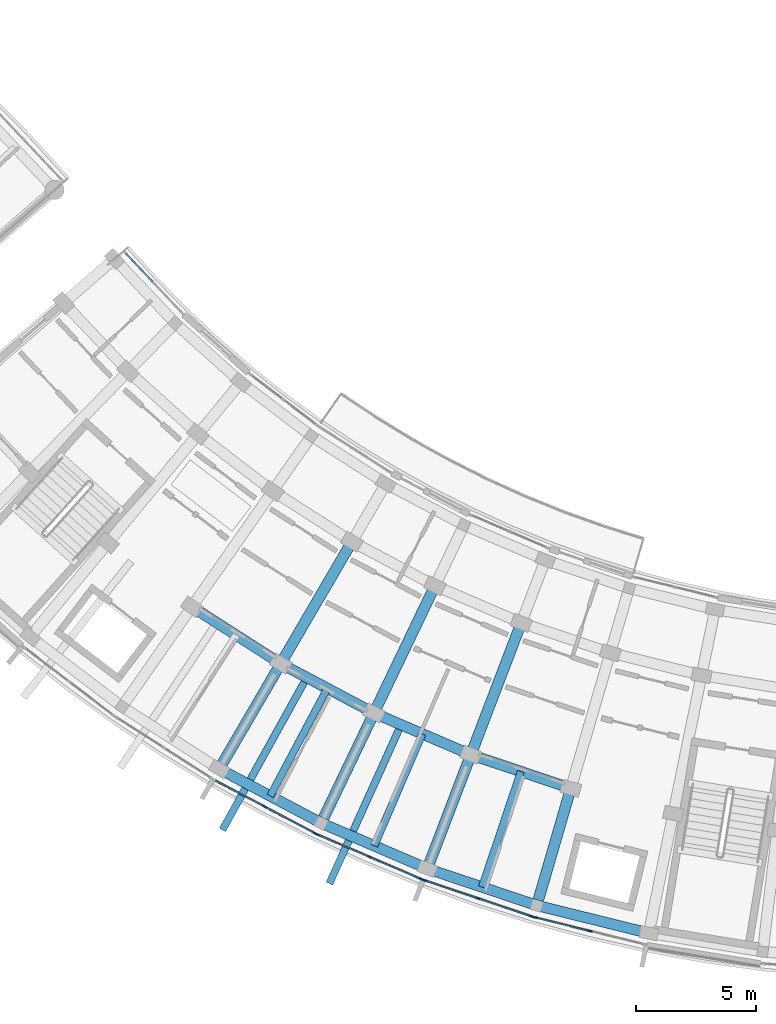
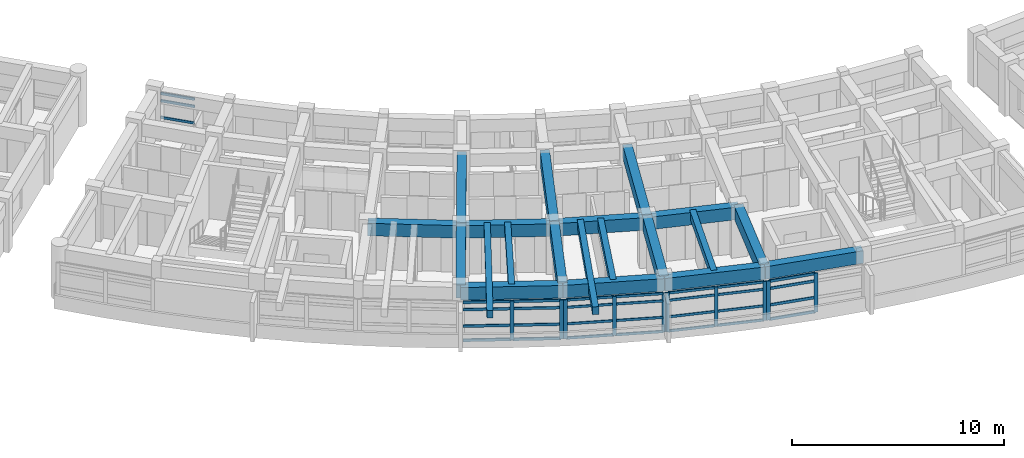
# One storey, part 11 of 56: 41 members, 20 beams, 5 elements without a shape of their own.
"""IFC4 building model written with IfcOpenShell, lengths in metres."""

from ifc_helpers import new_model, si_unit, direction, frame, origin, origin_2d, place, context, subcontext, project, spatial, rectangle, extrude, material, material_profile, profile_set, type_object, element, aggregate, save


model = new_model("IFC4")

# Units and contexts
model_context = context("Model", 3, precision=1e-05, world=origin(), true_north=direction((0.0, 1.0)))
body_context = subcontext(model_context, "Body", "Model", "MODEL_VIEW")
ifc_project = project(units=[si_unit("LENGTHUNIT", "METRE"), si_unit("AREAUNIT", "SQUARE_METRE"), si_unit("VOLUMEUNIT", "CUBIC_METRE"), si_unit("PLANEANGLEUNIT", "RADIAN"), si_unit("MASSUNIT", "GRAM", prefix="KILO")], contexts=[model_context])

# Site, building, storey
site_placement = place(None, origin())
site = spatial("IfcSite", under=ifc_project, at=site_placement, CompositionType="ELEMENT")
building_placement = place(site_placement, origin())
building = spatial("IfcBuilding", under=site, at=building_placement, Name="Zimvara Arc Housing Community", CompositionType="ELEMENT")
storey_placement = place(building_placement, frame((0.0, 0.0, 11.199951171875)))
storey = spatial("IfcBuildingStorey", under=building, at=storey_placement, Name="L03", CompositionType="ELEMENT", Elevation=11.199951171875)

# Beams
ifc_material_1 = material(Name="Concrete C40/50", Category="concrete")
ifc_material_profile_1 = material_profile(ifc_material_1, rectangle(XDim=0.300048828125, YDim=0.449951171875, at=origin_2d()), Name="RC 300x450")
ifc_profile_set_1 = profile_set([ifc_material_profile_1], Name="Concrete C40/50")
beam_type_1 = type_object("IfcBeamType", Name="BM-RC-300x450", PredefinedType="JOIST", material=ifc_profile_set_1)
for number, where, z_axis, x_axis, name in (
    (1, (100.793212890625, 62.37060546875, 2.635009765625), (-0.46853732736, -0.883443701019, 0.0), (0.883443701019, -0.46853732736, 0.0), "bm:blkC:L03:joist:b4"),
    (2, (104.751953125, 60.473876953125, 2.635009765625), (-0.394946561353, -0.918704094731, 0.0), (0.918704094731, -0.394946561353, 0.0), "bm:blkC:L03:joist:b5"),
    (3, (108.85205078125, 58.906494140625, 2.635009765625), (-0.318622196545, -0.947881794249, 0.0), (0.947881794249, -0.318622196545, 0.0), "bm:blkC:L03:joist:b6"),
):
    element("IfcBeam", number, at=place(storey_placement, frame(where, z_axis=z_axis, x_axis=x_axis)), inside=storey, type_object=beam_type_1, Name=name, PredefinedType="JOIST", context=body_context, shape_type="SweptSolid", body=[
        extrude(rectangle(XDim=0.300048828125, YDim=0.449951171875, at=origin_2d()), origin(), (0.0, 0.0, 1.0), 5.07568359375),
    ])
for number, where, z_axis, x_axis, name in (
    (4, (99.922119140625, 62.791748046875, 2.6650390625), (-0.4843274379, -0.874886811477, 0.0), (0.874886811477, -0.4843274379, 0.0), "bm:blkC:L03:cant_out:b4"),
    (5, (103.849365234375, 60.822509765625, 2.6650390625), (-0.411355676266, -0.91147490783, 0.0), (0.91147490783, -0.411355676266, 0.0), "bm:blkC:L03:cant_out:b5"),
):
    element("IfcBeam", number, at=place(storey_placement, frame(where, z_axis=z_axis, x_axis=x_axis)), inside=storey, type_object=beam_type_1, Name=name, PredefinedType="JOIST", context=body_context, shape_type="SweptSolid", body=[
        extrude(rectangle(XDim=0.300048828125, YDim=0.449951171875, at=origin_2d()), origin(), (0.0, 0.0, 1.0), 7.219970703125),
    ])
ifc_material_2 = material(Name="Concrete C40/50", Category="concrete")
ifc_material_profile_2 = material_profile(ifc_material_2, rectangle(XDim=0.43994140625, YDim=0.719970703125, at=origin_2d()), Name="RC 440x720")
ifc_profile_set_2 = profile_set([ifc_material_profile_2], Name="Concrete C40/50")
beam_type_2 = type_object("IfcBeamType", Name="BM-RC-440x720", PredefinedType="BEAM", material=ifc_profile_set_2)
beam_1_placement = place(storey_placement, frame((95.15234375, 65.76806640625, 2.5), z_axis=(0.842267363538, -0.539060004376, 0.0), x_axis=(0.539060004376, 0.842267363538, 0.0)))
element("IfcBeam", 6, at=beam_1_placement, inside=storey, type_object=beam_type_2, Name="bm:blkC:L03:chord:r2:b3", PredefinedType="BEAM", context=body_context, shape_type="SweptSolid", body=[
    extrude(rectangle(XDim=0.43994140625, YDim=0.719970703125, at=origin_2d()), origin(), (0.0, 0.0, 1.0), 4.39306640625),
])
beam_2_placement = place(storey_placement, frame((98.8525390625, 63.39990234375, 2.5), z_axis=(0.883433524437, -0.468556515162, 0.0), x_axis=(0.468556515162, 0.883433524437, 0.0)))
element("IfcBeam", 7, at=beam_2_placement, inside=storey, type_object=beam_type_2, Name="bm:blkC:L03:chord:r2:b4", PredefinedType="BEAM", context=body_context, shape_type="SweptSolid", body=[
    extrude(rectangle(XDim=0.43994140625, YDim=0.719970703125, at=origin_2d()), origin(), (0.0, 0.0, 1.0), 4.3935546875),
])
for number, where, z_axis, x_axis, name in (
    (8, (102.73388671875, 61.34130859375, 2.5), (0.918724840088, -0.394898301093, 0.0), (0.394898301093, 0.918724840088, 0.0), "bm:blkC:L03:chord:r2:b5"),
    (9, (106.77001953125, 59.6064453125, 2.5), (0.947891222174, -0.318594147665, 0.0), (0.318594147665, 0.947891222174, 0.0), "bm:blkC:L03:chord:r2:b6"),
):
    element("IfcBeam", number, at=place(storey_placement, frame(where, z_axis=z_axis, x_axis=x_axis)), inside=storey, type_object=beam_type_2, Name=name, PredefinedType="BEAM", context=body_context, shape_type="SweptSolid", body=[
        extrude(rectangle(XDim=0.43994140625, YDim=0.719970703125, at=origin_2d()), origin(), (0.0, 0.0, 1.0), 4.393310546875),
    ])
for number, where, z_axis, x_axis, name in (
    (10, (96.291259765625, 59.012939453125, 2.5), (0.883424523434, -0.468573485587, 0.0), (0.468573485587, 0.883424523434, 0.0), "bm:blkC:L03:chord:r3:b4"),
    (11, (100.538818359375, 56.760009765625, 2.5), (0.918724276228, -0.394899612901, 0.0), (0.394899612901, 0.918724276228, 0.0), "bm:blkC:L03:chord:r3:b5"),
):
    element("IfcBeam", number, at=place(storey_placement, frame(where, z_axis=z_axis, x_axis=x_axis)), inside=storey, type_object=beam_type_2, Name=name, PredefinedType="BEAM", context=body_context, shape_type="SweptSolid", body=[
        extrude(rectangle(XDim=0.43994140625, YDim=0.719970703125, at=origin_2d()), origin(), (0.0, 0.0, 1.0), 4.80810546875),
    ])
beam_3_placement = place(storey_placement, frame((104.9560546875, 54.861328125, 2.5), z_axis=(0.947877948153, -0.31863363822, 0.0), x_axis=(0.31863363822, 0.947877948153, 0.0)))
element("IfcBeam", 12, at=beam_3_placement, inside=storey, type_object=beam_type_2, Name="bm:blkC:L03:chord:r3:b6", PredefinedType="BEAM", context=body_context, shape_type="SweptSolid", body=[
    extrude(rectangle(XDim=0.43994140625, YDim=0.719970703125, at=origin_2d()), origin(), (0.0, 0.0, 1.0), 4.807861328125),
])
beam_4_placement = place(storey_placement, frame((109.513427734375, 53.329345703125, 2.5), z_axis=(0.970719165502, -0.240217196986, 0.0), x_axis=(0.240217196986, 0.970719165502, 0.0)))
element("IfcBeam", 13, at=beam_4_placement, inside=storey, type_object=beam_type_2, Name="bm:blkC:L03:chord:r3:b7", PredefinedType="BEAM", context=body_context, shape_type="SweptSolid", body=[
    extrude(rectangle(XDim=0.43994140625, YDim=0.719970703125, at=origin_2d()), origin(), (0.0, 0.0, 1.0), 4.808349609375),
])
ifc_material_3 = material(Name="Concrete C40/50", Category="concrete")
ifc_material_profile_3 = material_profile(ifc_material_3, rectangle(XDim=0.449951171875, YDim=0.75, at=origin_2d()), Name="RC 450x750")
ifc_profile_set_3 = profile_set([ifc_material_profile_3], Name="Concrete C40/50")
beam_type_3 = type_object("IfcBeamType", Name="BM-RC-450x750", PredefinedType="BEAM", material=ifc_profile_set_3)
beam_5_placement = place(storey_placement, frame((101.8173828125, 68.4775390625, 2.485107421875), z_axis=(-0.504237574462, -0.863564976421, 0.0), x_axis=(0.863564976421, -0.504237574462, 0.0)))
element("IfcBeam", 14, at=beam_5_placement, inside=storey, type_object=beam_type_3, Name="bm:blkC:L03:rad:b4:r12", PredefinedType="BEAM", context=body_context, shape_type="SweptSolid", body=[
    extrude(rectangle(XDim=0.449951171875, YDim=0.75, at=origin_2d()), origin(), (0.0, 0.0, 1.0), 5.8798828125),
])
beam_6_placement = place(storey_placement, frame((98.8525390625, 63.39990234375, 2.485107421875), z_axis=(-0.504196701544, -0.863588840915, 0.0), x_axis=(0.863588840915, -0.504196701544, 0.0)))
element("IfcBeam", 15, at=beam_6_placement, inside=storey, type_object=beam_type_3, Name="bm:blkC:L03:rad:b4:r23", PredefinedType="BEAM", context=body_context, shape_type="SweptSolid", body=[
    extrude(rectangle(XDim=0.449951171875, YDim=0.75, at=origin_2d()), origin(), (0.0, 0.0, 1.0), 5.079833984375),
])
beam_7_placement = place(storey_placement, frame((105.2744140625, 66.644287109375, 2.485107421875), z_axis=(-0.432053349188, -0.901848048983, 0.0), x_axis=(0.901848048983, -0.432053349188, 0.0)))
element("IfcBeam", 16, at=beam_7_placement, inside=storey, type_object=beam_type_3, Name="bm:blkC:L03:rad:b5:r12", PredefinedType="BEAM", context=body_context, shape_type="SweptSolid", body=[
    extrude(rectangle(XDim=0.449951171875, YDim=0.75, at=origin_2d()), origin(), (0.0, 0.0, 1.0), 5.880126953125),
])
beam_8_placement = place(storey_placement, frame((102.73388671875, 61.34130859375, 2.485107421875), z_axis=(-0.432098194978, -0.901826563091, 0.0), x_axis=(0.901826563091, -0.432098194978, 0.0)))
element("IfcBeam", 17, at=beam_8_placement, inside=storey, type_object=beam_type_3, Name="bm:blkC:L03:rad:b5:r23", PredefinedType="BEAM", context=body_context, shape_type="SweptSolid", body=[
    extrude(rectangle(XDim=0.449951171875, YDim=0.75, at=origin_2d()), origin(), (0.0, 0.0, 1.0), 5.080078125),
])
beam_9_placement = place(storey_placement, frame((108.869384765625, 65.098876953125, 2.485107421875), z_axis=(-0.357036247742, -0.934090529766, 0.0), x_axis=(0.934090529766, -0.357036247742, 0.0)))
element("IfcBeam", 18, at=beam_9_placement, inside=storey, type_object=beam_type_3, Name="bm:blkC:L03:rad:b6:r12", PredefinedType="BEAM", context=body_context, shape_type="SweptSolid", body=[
    extrude(rectangle(XDim=0.449951171875, YDim=0.75, at=origin_2d()), origin(), (0.0, 0.0, 1.0), 5.8798828125),
])
for number, where, z_axis, x_axis, name in (
    (19, (106.77001953125, 59.6064453125, 2.485107421875), (-0.357078271386, -0.934074466038, 0.0), (0.934074466038, -0.357078271386, 0.0), "bm:blkC:L03:rad:b6:r23"),
    (20, (110.934326171875, 58.206787109375, 2.485107421875), (-0.279693649113, -0.960089299308, 0.0), (0.960089299308, -0.279693649113, 0.0), "bm:blkC:L03:rad:b7:r23"),
):
    element("IfcBeam", number, at=place(storey_placement, frame(where, z_axis=z_axis, x_axis=x_axis)), inside=storey, type_object=beam_type_3, Name=name, PredefinedType="BEAM", context=body_context, shape_type="SweptSolid", body=[
        extrude(rectangle(XDim=0.449951171875, YDim=0.75, at=origin_2d()), origin(), (0.0, 0.0, 1.0), 5.080078125),
    ])

# Curtain wall, members
ifc_material_4 = material(Name="Anodised Aluminium AW-6063", Category="aluminium")
curtain_wall_type_1 = type_object("IfcCurtainWallType", Name="CW-SYS-02", PredefinedType="USERDEFINED", material=ifc_material_4)
curtain_wall_1_placement = place(storey_placement, origin())
curtain_wall_1 = element("IfcCurtainWall", 21, at=curtain_wall_1_placement, inside=storey, type_object=curtain_wall_type_1, Name="cw:blkC:L03:out:b5", ObjectType="CURTAIN WALL", PredefinedType="USERDEFINED")
ifc_material_5 = material(Name="Anodised Aluminium AW-6063", Category="aluminium")
ifc_material_profile_4 = material_profile(ifc_material_5, rectangle(XDim=0.06494140625, YDim=0.179931640625, at=origin_2d()), Name="ALU 65x180")
ifc_profile_set_4 = profile_set([ifc_material_profile_4], Name="Anodised Aluminium AW-6063")
member_type_1 = type_object("IfcMemberType", Name="CWM-65x150", PredefinedType="MULLION", material=ifc_profile_set_4)
member_1_placement = place(storey_placement, frame((100.40771484375, 56.272705078125, 0.0), z_axis=(0.0, 0.0, 1.0), x_axis=(0.394904211998, 0.918722299363, 0.0)))
member_1 = element("IfcMember", 22, at=member_1_placement, type_object=member_type_1, Name="CW02 mullion 1", PredefinedType="MULLION", context=body_context, shape_type="SweptSolid", body=[
    extrude(rectangle(XDim=0.06494140625, YDim=0.179931640625, at=origin_2d()), origin(), (0.0, 0.0, 1.0), 2.25),
])
member_2_placement = place(storey_placement, frame((102.550048828125, 55.351806640625, 0.0), z_axis=(0.0, 0.0, 1.0), x_axis=(0.394904211998, 0.918722299363, 0.0)))
member_2 = element("IfcMember", 23, at=member_2_placement, type_object=member_type_1, Name="CW02 mullion 2", PredefinedType="MULLION", context=body_context, shape_type="SweptSolid", body=[
    extrude(rectangle(XDim=0.06494140625, YDim=0.179931640625, at=origin_2d()), origin(), (0.0, 0.0, 1.0), 2.25),
])
member_3_placement = place(storey_placement, frame((104.692626953125, 54.430908203125, 0.0), z_axis=(0.0, 0.0, 1.0), x_axis=(0.394904211998, 0.918722299363, 0.0)))
member_3 = element("IfcMember", 24, at=member_3_placement, type_object=member_type_1, Name="CW02 mullion 3", PredefinedType="MULLION", context=body_context, shape_type="SweptSolid", body=[
    extrude(rectangle(XDim=0.06494140625, YDim=0.179931640625, at=origin_2d()), origin(), (0.0, 0.0, 1.0), 2.25),
])

ifc_material_6 = material(Name="Anodised Aluminium AW-6063", Category="aluminium")
curtain_wall_type_2 = type_object("IfcCurtainWallType", Name="CW-SYS-04", PredefinedType="USERDEFINED", material=ifc_material_6)
curtain_wall_2_placement = place(storey_placement, origin())
curtain_wall_2 = element("IfcCurtainWall", 25, at=curtain_wall_2_placement, inside=storey, type_object=curtain_wall_type_2, Name="cw:blkC:L03:out:b6", ObjectType="CURTAIN WALL", PredefinedType="USERDEFINED")
member_4_placement = place(storey_placement, frame((104.865234375, 54.36474609375, 0.0), z_axis=(0.0, 0.0, 1.0), x_axis=(0.318628583921, 0.947879647164, 0.0)))
member_4 = element("IfcMember", 26, at=member_4_placement, type_object=member_type_1, Name="CW04 mullion 1", PredefinedType="MULLION", context=body_context, shape_type="SweptSolid", body=[
    extrude(rectangle(XDim=0.06494140625, YDim=0.179931640625, at=origin_2d()), origin(), (0.0, 0.0, 1.0), 2.25),
])
member_5_placement = place(storey_placement, frame((107.07568359375, 53.621826171875, 0.0), z_axis=(0.0, 0.0, 1.0), x_axis=(0.318628583921, 0.947879647164, 0.0)))
member_5 = element("IfcMember", 27, at=member_5_placement, type_object=member_type_1, Name="CW04 mullion 2", PredefinedType="MULLION", context=body_context, shape_type="SweptSolid", body=[
    extrude(rectangle(XDim=0.06494140625, YDim=0.179931640625, at=origin_2d()), origin(), (0.0, 0.0, 1.0), 2.25),
])
member_6_placement = place(storey_placement, frame((109.2861328125, 52.87890625, 0.0), z_axis=(0.0, 0.0, 1.0), x_axis=(0.318628583921, 0.947879647164, 0.0)))
member_6 = element("IfcMember", 28, at=member_6_placement, type_object=member_type_1, Name="CW04 mullion 3", PredefinedType="MULLION", context=body_context, shape_type="SweptSolid", body=[
    extrude(rectangle(XDim=0.06494140625, YDim=0.179931640625, at=origin_2d()), origin(), (0.0, 0.0, 1.0), 2.25),
])

ifc_material_7 = material(Name="Anodised Aluminium AW-6063", Category="aluminium")
curtain_wall_type_3 = type_object("IfcCurtainWallType", Name="CW-SYS-01", PredefinedType="USERDEFINED", material=ifc_material_7)
curtain_wall_3_placement = place(storey_placement, origin())
curtain_wall_3 = element("IfcCurtainWall", 29, at=curtain_wall_3_placement, inside=storey, type_object=curtain_wall_type_3, Name="cw:blkC:L03:out:b4", ObjectType="CURTAIN WALL", PredefinedType="USERDEFINED")
ifc_material_8 = material(Name="Anodised Aluminium AW-6063", Category="aluminium")
ifc_material_profile_5 = material_profile(ifc_material_8, rectangle(XDim=0.06494140625, YDim=0.195068359375, at=origin_2d()), Name="ALU 65x195")
ifc_profile_set_5 = profile_set([ifc_material_profile_5], Name="Anodised Aluminium AW-6063")
member_type_2 = type_object("IfcMemberType", Name="CWM-65x180", PredefinedType="MULLION", material=ifc_profile_set_5)
member_7_placement = place(storey_placement, frame((98.180908203125, 57.445068359375, 0.0), z_axis=(0.0, 0.0, 1.0), x_axis=(0.468546917761, 0.883438614651, 0.0)))
member_7 = element("IfcMember", 30, at=member_7_placement, type_object=member_type_2, Name="CW01 mullion 2", PredefinedType="MULLION", context=body_context, shape_type="SweptSolid", body=[
    extrude(rectangle(XDim=0.06494140625, YDim=0.195068359375, at=origin_2d()), origin(), (0.0, 0.0, 1.0), 2.25),
])
member_8_placement = place(storey_placement, frame((100.240966796875, 56.3525390625, 0.0), z_axis=(0.0, 0.0, 1.0), x_axis=(0.468546917761, 0.883438614651, 0.0)))
member_8 = element("IfcMember", 31, at=member_8_placement, type_object=member_type_2, Name="CW01 mullion 3", PredefinedType="MULLION", context=body_context, shape_type="SweptSolid", body=[
    extrude(rectangle(XDim=0.06494140625, YDim=0.195068359375, at=origin_2d()), origin(), (0.0, 0.0, 1.0), 2.25),
])

ifc_material_9 = material(Name="Anodised Aluminium AW-6063", Category="aluminium")
curtain_wall_type_4 = type_object("IfcCurtainWallType", Name="CW-SYS-05", PredefinedType="USERDEFINED", material=ifc_material_9)
curtain_wall_4_placement = place(storey_placement, origin())
curtain_wall_4 = element("IfcCurtainWall", 32, at=curtain_wall_4_placement, inside=storey, type_object=curtain_wall_type_4, Name="cw:blkC:L03:out:b7", ObjectType="CURTAIN WALL", PredefinedType="USERDEFINED")
member_9_placement = place(storey_placement, frame((109.46337890625, 52.8271484375, 0.0), z_axis=(0.0, 0.0, 1.0), x_axis=(0.240229711131, 0.970716068627, 0.0)))
member_9 = element("IfcMember", 33, at=member_9_placement, type_object=member_type_2, Name="CW05 mullion 1", PredefinedType="MULLION", context=body_context, shape_type="SweptSolid", body=[
    extrude(rectangle(XDim=0.06494140625, YDim=0.195068359375, at=origin_2d()), origin(), (0.0, 0.0, 1.0), 2.25),
])
member_10_placement = place(storey_placement, frame((111.72705078125, 52.266845703125, 0.0), z_axis=(0.0, 0.0, 1.0), x_axis=(0.240229711131, 0.970716068627, 0.0)))
member_10 = element("IfcMember", 34, at=member_10_placement, type_object=member_type_2, Name="CW05 mullion 2", PredefinedType="MULLION", context=body_context, shape_type="SweptSolid", body=[
    extrude(rectangle(XDim=0.06494140625, YDim=0.195068359375, at=origin_2d()), origin(), (0.0, 0.0, 1.0), 2.25),
])

curtain_wall_5_placement = place(storey_placement, origin())
curtain_wall_5 = element("IfcCurtainWall", 35, at=curtain_wall_5_placement, inside=storey, type_object=curtain_wall_type_2, Name="cw:blkC:L03:in:b0", ObjectType="CURTAIN WALL", PredefinedType="USERDEFINED")
ifc_material_10 = material(Name="Anodised Aluminium AW-6063", Category="aluminium")
ifc_material_profile_6 = material_profile(ifc_material_10, rectangle(XDim=0.06494140625, YDim=0.139892578125, at=origin_2d()), Name="ALU 65x140")
ifc_profile_set_6 = profile_set([ifc_material_profile_6], Name="Anodised Aluminium AW-6063")
member_type_3 = type_object("IfcMemberType", Name="CWT-65x120", PredefinedType="USERDEFINED", material=ifc_profile_set_6)
member_11_placement = place(storey_placement, frame((92.390625, 80.495849609375, 0.85009765625), z_axis=(0.686347817597, -0.727273451516, 0.0), x_axis=(0.727273451516, 0.686347817597, 0.0)))
member_11 = element("IfcMember", 36, at=member_11_placement, type_object=member_type_3, Name="CW04 transom 1.2", ObjectType="TRANSOM", PredefinedType="USERDEFINED", context=body_context, shape_type="SweptSolid", body=[
    extrude(rectangle(XDim=0.06494140625, YDim=0.139892578125, at=origin_2d()), origin(), (0.0, 0.0, 1.0), 1.664306640625),
])
member_12_placement = place(storey_placement, frame((92.390625, 80.495849609375, 1.800048828125), z_axis=(0.686347817597, -0.727273451516, 0.0), x_axis=(0.727273451516, 0.686347817597, 0.0)))
member_12 = element("IfcMember", 37, at=member_12_placement, type_object=member_type_3, Name="CW04 transom 1.3", ObjectType="TRANSOM", PredefinedType="USERDEFINED", context=body_context, shape_type="SweptSolid", body=[
    extrude(rectangle(XDim=0.06494140625, YDim=0.139892578125, at=origin_2d()), origin(), (0.0, 0.0, 1.0), 1.664306640625),
])
member_13_placement = place(storey_placement, frame((92.390625, 80.495849609375, 2.217529296875), z_axis=(0.686347817597, -0.727273451516, 0.0), x_axis=(0.727273451516, 0.686347817597, 0.0)))
member_13 = element("IfcMember", 38, at=member_13_placement, type_object=member_type_3, Name="CW04 transom 1.4", ObjectType="TRANSOM", PredefinedType="USERDEFINED", context=body_context, shape_type="SweptSolid", body=[
    extrude(rectangle(XDim=0.06494140625, YDim=0.139892578125, at=origin_2d()), origin(), (0.0, 0.0, 1.0), 1.664306640625),
])
aggregate(curtain_wall_5, [member_11, member_12, member_13])

# Member
member_14_placement = place(storey_placement, frame((100.4375, 56.259765625, 0.032470703125), z_axis=(0.918721157939, -0.394906867444, 0.0), x_axis=(0.394906867444, 0.918721157939, 0.0)))
member_14 = element("IfcMember", 39, at=member_14_placement, type_object=member_type_3, Name="CW02 transom 1.1", ObjectType="TRANSOM", PredefinedType="USERDEFINED", context=body_context, shape_type="SweptSolid", body=[
    extrude(rectangle(XDim=0.06494140625, YDim=0.139892578125, at=origin_2d()), origin(), (0.0, 0.0, 1.0), 2.26708984375),
])

member_15_placement = place(storey_placement, frame((100.4375, 56.259765625, 0.85009765625), z_axis=(0.918721157939, -0.394906867444, 0.0), x_axis=(0.394906867444, 0.918721157939, 0.0)))
member_15 = element("IfcMember", 40, at=member_15_placement, type_object=member_type_3, Name="CW02 transom 1.2", ObjectType="TRANSOM", PredefinedType="USERDEFINED", context=body_context, shape_type="SweptSolid", body=[
    extrude(rectangle(XDim=0.06494140625, YDim=0.139892578125, at=origin_2d()), origin(), (0.0, 0.0, 1.0), 2.26708984375),
])

member_16_placement = place(storey_placement, frame((100.4375, 56.259765625, 1.800048828125), z_axis=(0.918721157939, -0.394906867444, 0.0), x_axis=(0.394906867444, 0.918721157939, 0.0)))
member_16 = element("IfcMember", 41, at=member_16_placement, type_object=member_type_3, Name="CW02 transom 1.3", ObjectType="TRANSOM", PredefinedType="USERDEFINED", context=body_context, shape_type="SweptSolid", body=[
    extrude(rectangle(XDim=0.06494140625, YDim=0.139892578125, at=origin_2d()), origin(), (0.0, 0.0, 1.0), 2.26708984375),
])

member_17_placement = place(storey_placement, frame((100.4375, 56.259765625, 2.217529296875), z_axis=(0.918721157939, -0.394906867444, 0.0), x_axis=(0.394906867444, 0.918721157939, 0.0)))
member_17 = element("IfcMember", 42, at=member_17_placement, type_object=member_type_3, Name="CW02 transom 1.4", ObjectType="TRANSOM", PredefinedType="USERDEFINED", context=body_context, shape_type="SweptSolid", body=[
    extrude(rectangle(XDim=0.06494140625, YDim=0.139892578125, at=origin_2d()), origin(), (0.0, 0.0, 1.0), 2.26708984375),
])

member_18_placement = place(storey_placement, frame((102.580078125, 55.3388671875, 0.032470703125), z_axis=(0.918704360712, -0.394945942641, 0.0), x_axis=(0.394945942641, 0.918704360712, 0.0)))
member_18 = element("IfcMember", 43, at=member_18_placement, type_object=member_type_3, Name="CW02 transom 2.1", ObjectType="TRANSOM", PredefinedType="USERDEFINED", context=body_context, shape_type="SweptSolid", body=[
    extrude(rectangle(XDim=0.06494140625, YDim=0.139892578125, at=origin_2d()), origin(), (0.0, 0.0, 1.0), 2.266845703125),
])

member_19_placement = place(storey_placement, frame((102.580078125, 55.3388671875, 0.85009765625), z_axis=(0.918704360712, -0.394945942641, 0.0), x_axis=(0.394945942641, 0.918704360712, 0.0)))
member_19 = element("IfcMember", 44, at=member_19_placement, type_object=member_type_3, Name="CW02 transom 2.2", ObjectType="TRANSOM", PredefinedType="USERDEFINED", context=body_context, shape_type="SweptSolid", body=[
    extrude(rectangle(XDim=0.06494140625, YDim=0.139892578125, at=origin_2d()), origin(), (0.0, 0.0, 1.0), 2.266845703125),
])

member_20_placement = place(storey_placement, frame((102.580078125, 55.3388671875, 1.800048828125), z_axis=(0.918704360712, -0.394945942641, 0.0), x_axis=(0.394945942641, 0.918704360712, 0.0)))
member_20 = element("IfcMember", 45, at=member_20_placement, type_object=member_type_3, Name="CW02 transom 2.3", ObjectType="TRANSOM", PredefinedType="USERDEFINED", context=body_context, shape_type="SweptSolid", body=[
    extrude(rectangle(XDim=0.06494140625, YDim=0.139892578125, at=origin_2d()), origin(), (0.0, 0.0, 1.0), 2.266845703125),
])

member_21_placement = place(storey_placement, frame((102.580078125, 55.3388671875, 2.217529296875), z_axis=(0.918704360712, -0.394945942641, 0.0), x_axis=(0.394945942641, 0.918704360712, 0.0)))
member_21 = element("IfcMember", 46, at=member_21_placement, type_object=member_type_3, Name="CW02 transom 2.4", ObjectType="TRANSOM", PredefinedType="USERDEFINED", context=body_context, shape_type="SweptSolid", body=[
    extrude(rectangle(XDim=0.06494140625, YDim=0.139892578125, at=origin_2d()), origin(), (0.0, 0.0, 1.0), 2.266845703125),
])

aggregate(curtain_wall_1, [member_1, member_2, member_3, member_14, member_15, member_16, member_17, member_18, member_19, member_20, member_21])

member_22_placement = place(storey_placement, frame((104.89599609375, 54.3544921875, 0.032470703125), z_axis=(0.947872541471, -0.318649721678, 0.0), x_axis=(0.318649721678, 0.947872541471, 0.0)))
member_22 = element("IfcMember", 47, at=member_22_placement, type_object=member_type_3, Name="CW04 transom 1.1", ObjectType="TRANSOM", PredefinedType="USERDEFINED", context=body_context, shape_type="SweptSolid", body=[
    extrude(rectangle(XDim=0.06494140625, YDim=0.139892578125, at=origin_2d()), origin(), (0.0, 0.0, 1.0), 2.26708984375),
])

member_23_placement = place(storey_placement, frame((104.89599609375, 54.3544921875, 0.85009765625), z_axis=(0.947872541471, -0.318649721678, 0.0), x_axis=(0.318649721678, 0.947872541471, 0.0)))
member_23 = element("IfcMember", 48, at=member_23_placement, type_object=member_type_3, Name="CW04 transom 1.2", ObjectType="TRANSOM", PredefinedType="USERDEFINED", context=body_context, shape_type="SweptSolid", body=[
    extrude(rectangle(XDim=0.06494140625, YDim=0.139892578125, at=origin_2d()), origin(), (0.0, 0.0, 1.0), 2.26708984375),
])

member_24_placement = place(storey_placement, frame((104.89599609375, 54.3544921875, 1.800048828125), z_axis=(0.947872541471, -0.318649721678, 0.0), x_axis=(0.318649721678, 0.947872541471, 0.0)))
member_24 = element("IfcMember", 49, at=member_24_placement, type_object=member_type_3, Name="CW04 transom 1.3", ObjectType="TRANSOM", PredefinedType="USERDEFINED", context=body_context, shape_type="SweptSolid", body=[
    extrude(rectangle(XDim=0.06494140625, YDim=0.139892578125, at=origin_2d()), origin(), (0.0, 0.0, 1.0), 2.26708984375),
])

member_25_placement = place(storey_placement, frame((104.89599609375, 54.3544921875, 2.217529296875), z_axis=(0.947872541471, -0.318649721678, 0.0), x_axis=(0.318649721678, 0.947872541471, 0.0)))
member_25 = element("IfcMember", 50, at=member_25_placement, type_object=member_type_3, Name="CW04 transom 1.4", ObjectType="TRANSOM", PredefinedType="USERDEFINED", context=body_context, shape_type="SweptSolid", body=[
    extrude(rectangle(XDim=0.06494140625, YDim=0.139892578125, at=origin_2d()), origin(), (0.0, 0.0, 1.0), 2.26708984375),
])

member_26_placement = place(storey_placement, frame((107.1064453125, 53.611572265625, 0.032470703125), z_axis=(0.947861605379, -0.318682250916, 0.0), x_axis=(0.318682250916, 0.947861605379, 0.0)))
member_26 = element("IfcMember", 51, at=member_26_placement, type_object=member_type_3, Name="CW04 transom 2.1", ObjectType="TRANSOM", PredefinedType="USERDEFINED", context=body_context, shape_type="SweptSolid", body=[
    extrude(rectangle(XDim=0.06494140625, YDim=0.139892578125, at=origin_2d()), origin(), (0.0, 0.0, 1.0), 2.266845703125),
])

member_27_placement = place(storey_placement, frame((107.1064453125, 53.611572265625, 0.85009765625), z_axis=(0.947861605379, -0.318682250916, 0.0), x_axis=(0.318682250916, 0.947861605379, 0.0)))
member_27 = element("IfcMember", 52, at=member_27_placement, type_object=member_type_3, Name="CW04 transom 2.2", ObjectType="TRANSOM", PredefinedType="USERDEFINED", context=body_context, shape_type="SweptSolid", body=[
    extrude(rectangle(XDim=0.06494140625, YDim=0.139892578125, at=origin_2d()), origin(), (0.0, 0.0, 1.0), 2.266845703125),
])

member_28_placement = place(storey_placement, frame((107.1064453125, 53.611572265625, 1.800048828125), z_axis=(0.947861605379, -0.318682250916, 0.0), x_axis=(0.318682250916, 0.947861605379, 0.0)))
member_28 = element("IfcMember", 53, at=member_28_placement, type_object=member_type_3, Name="CW04 transom 2.3", ObjectType="TRANSOM", PredefinedType="USERDEFINED", context=body_context, shape_type="SweptSolid", body=[
    extrude(rectangle(XDim=0.06494140625, YDim=0.139892578125, at=origin_2d()), origin(), (0.0, 0.0, 1.0), 2.266845703125),
])

member_29_placement = place(storey_placement, frame((107.1064453125, 53.611572265625, 2.217529296875), z_axis=(0.947861605379, -0.318682250916, 0.0), x_axis=(0.318682250916, 0.947861605379, 0.0)))
member_29 = element("IfcMember", 54, at=member_29_placement, type_object=member_type_3, Name="CW04 transom 2.4", ObjectType="TRANSOM", PredefinedType="USERDEFINED", context=body_context, shape_type="SweptSolid", body=[
    extrude(rectangle(XDim=0.06494140625, YDim=0.139892578125, at=origin_2d()), origin(), (0.0, 0.0, 1.0), 2.266845703125),
])

aggregate(curtain_wall_2, [member_4, member_5, member_6, member_22, member_23, member_24, member_25, member_26, member_27, member_28, member_29])

ifc_material_11 = material(Name="Anodised Aluminium AW-6063", Category="aluminium")
ifc_material_profile_7 = material_profile(ifc_material_11, rectangle(XDim=0.06494140625, YDim=0.155029296875, at=origin_2d()), Name="ALU 65x155")
ifc_profile_set_7 = profile_set([ifc_material_profile_7], Name="Anodised Aluminium AW-6063")
member_type_4 = type_object("IfcMemberType", Name="CWT-65x140", PredefinedType="USERDEFINED", material=ifc_profile_set_7)
member_30_placement = place(storey_placement, frame((96.1494140625, 58.5224609375, 0.032470703125), z_axis=(0.883465479137, -0.468496261642, 0.0), x_axis=(0.468496261642, 0.883465479137, 0.0)))
member_30 = element("IfcMember", 55, at=member_30_placement, type_object=member_type_4, Name="CW01 transom 1.1", ObjectType="TRANSOM", PredefinedType="USERDEFINED", context=body_context, shape_type="SweptSolid", body=[
    extrude(rectangle(XDim=0.06494140625, YDim=0.155029296875, at=origin_2d()), origin(), (0.0, 0.0, 1.0), 2.266845703125),
])

member_31_placement = place(storey_placement, frame((96.1494140625, 58.5224609375, 0.85009765625), z_axis=(0.883465479137, -0.468496261642, 0.0), x_axis=(0.468496261642, 0.883465479137, 0.0)))
member_31 = element("IfcMember", 56, at=member_31_placement, type_object=member_type_4, Name="CW01 transom 1.2", ObjectType="TRANSOM", PredefinedType="USERDEFINED", context=body_context, shape_type="SweptSolid", body=[
    extrude(rectangle(XDim=0.06494140625, YDim=0.155029296875, at=origin_2d()), origin(), (0.0, 0.0, 1.0), 2.266845703125),
])

member_32_placement = place(storey_placement, frame((96.1494140625, 58.5224609375, 1.800048828125), z_axis=(0.883465479137, -0.468496261642, 0.0), x_axis=(0.468496261642, 0.883465479137, 0.0)))
member_32 = element("IfcMember", 57, at=member_32_placement, type_object=member_type_4, Name="CW01 transom 1.3", ObjectType="TRANSOM", PredefinedType="USERDEFINED", context=body_context, shape_type="SweptSolid", body=[
    extrude(rectangle(XDim=0.06494140625, YDim=0.155029296875, at=origin_2d()), origin(), (0.0, 0.0, 1.0), 2.266845703125),
])

member_33_placement = place(storey_placement, frame((96.1494140625, 58.5224609375, 2.217529296875), z_axis=(0.883465479137, -0.468496261642, 0.0), x_axis=(0.468496261642, 0.883465479137, 0.0)))
member_33 = element("IfcMember", 58, at=member_33_placement, type_object=member_type_4, Name="CW01 transom 1.4", ObjectType="TRANSOM", PredefinedType="USERDEFINED", context=body_context, shape_type="SweptSolid", body=[
    extrude(rectangle(XDim=0.06494140625, YDim=0.155029296875, at=origin_2d()), origin(), (0.0, 0.0, 1.0), 2.266845703125),
])

member_34_placement = place(storey_placement, frame((98.209716796875, 57.429931640625, 0.032470703125), z_axis=(0.883420900208, -0.468580316568, 0.0), x_axis=(0.468580316568, 0.883420900208, 0.0)))
member_34 = element("IfcMember", 59, at=member_34_placement, type_object=member_type_4, Name="CW01 transom 2.1", ObjectType="TRANSOM", PredefinedType="USERDEFINED", context=body_context, shape_type="SweptSolid", body=[
    extrude(rectangle(XDim=0.06494140625, YDim=0.155029296875, at=origin_2d()), origin(), (0.0, 0.0, 1.0), 2.266845703125),
])

member_35_placement = place(storey_placement, frame((98.209716796875, 57.429931640625, 0.85009765625), z_axis=(0.883420900208, -0.468580316568, 0.0), x_axis=(0.468580316568, 0.883420900208, 0.0)))
member_35 = element("IfcMember", 60, at=member_35_placement, type_object=member_type_4, Name="CW01 transom 2.2", ObjectType="TRANSOM", PredefinedType="USERDEFINED", context=body_context, shape_type="SweptSolid", body=[
    extrude(rectangle(XDim=0.06494140625, YDim=0.155029296875, at=origin_2d()), origin(), (0.0, 0.0, 1.0), 2.266845703125),
])

member_36_placement = place(storey_placement, frame((98.209716796875, 57.429931640625, 1.800048828125), z_axis=(0.883420900208, -0.468580316568, 0.0), x_axis=(0.468580316568, 0.883420900208, 0.0)))
member_36 = element("IfcMember", 61, at=member_36_placement, type_object=member_type_4, Name="CW01 transom 2.3", ObjectType="TRANSOM", PredefinedType="USERDEFINED", context=body_context, shape_type="SweptSolid", body=[
    extrude(rectangle(XDim=0.06494140625, YDim=0.155029296875, at=origin_2d()), origin(), (0.0, 0.0, 1.0), 2.266845703125),
])

member_37_placement = place(storey_placement, frame((98.209716796875, 57.429931640625, 2.217529296875), z_axis=(0.883420900208, -0.468580316568, 0.0), x_axis=(0.468580316568, 0.883420900208, 0.0)))
member_37 = element("IfcMember", 62, at=member_37_placement, type_object=member_type_4, Name="CW01 transom 2.4", ObjectType="TRANSOM", PredefinedType="USERDEFINED", context=body_context, shape_type="SweptSolid", body=[
    extrude(rectangle(XDim=0.06494140625, YDim=0.155029296875, at=origin_2d()), origin(), (0.0, 0.0, 1.0), 2.266845703125),
])

aggregate(curtain_wall_3, [member_7, member_8, member_30, member_31, member_32, member_33, member_34, member_35, member_36, member_37])

member_38_placement = place(storey_placement, frame((109.4951171875, 52.8193359375, 0.032470703125), z_axis=(0.970703721793, -0.240279596507, 0.0), x_axis=(0.240279596507, 0.970703721793, 0.0)))
member_38 = element("IfcMember", 63, at=member_38_placement, type_object=member_type_4, Name="CW05 transom 1.1", ObjectType="TRANSOM", PredefinedType="USERDEFINED", context=body_context, shape_type="SweptSolid", body=[
    extrude(rectangle(XDim=0.06494140625, YDim=0.155029296875, at=origin_2d()), origin(), (0.0, 0.0, 1.0), 2.266845703125),
])

member_39_placement = place(storey_placement, frame((109.4951171875, 52.8193359375, 0.85009765625), z_axis=(0.970703721793, -0.240279596507, 0.0), x_axis=(0.240279596507, 0.970703721793, 0.0)))
member_39 = element("IfcMember", 64, at=member_39_placement, type_object=member_type_4, Name="CW05 transom 1.2", ObjectType="TRANSOM", PredefinedType="USERDEFINED", context=body_context, shape_type="SweptSolid", body=[
    extrude(rectangle(XDim=0.06494140625, YDim=0.155029296875, at=origin_2d()), origin(), (0.0, 0.0, 1.0), 2.266845703125),
])

member_40_placement = place(storey_placement, frame((109.4951171875, 52.8193359375, 1.800048828125), z_axis=(0.970703721793, -0.240279596507, 0.0), x_axis=(0.240279596507, 0.970703721793, 0.0)))
member_40 = element("IfcMember", 65, at=member_40_placement, type_object=member_type_4, Name="CW05 transom 1.3", ObjectType="TRANSOM", PredefinedType="USERDEFINED", context=body_context, shape_type="SweptSolid", body=[
    extrude(rectangle(XDim=0.06494140625, YDim=0.155029296875, at=origin_2d()), origin(), (0.0, 0.0, 1.0), 2.266845703125),
])

member_41_placement = place(storey_placement, frame((109.4951171875, 52.8193359375, 2.217529296875), z_axis=(0.970703721793, -0.240279596507, 0.0), x_axis=(0.240279596507, 0.970703721793, 0.0)))
member_41 = element("IfcMember", 66, at=member_41_placement, type_object=member_type_4, Name="CW05 transom 1.4", ObjectType="TRANSOM", PredefinedType="USERDEFINED", context=body_context, shape_type="SweptSolid", body=[
    extrude(rectangle(XDim=0.06494140625, YDim=0.155029296875, at=origin_2d()), origin(), (0.0, 0.0, 1.0), 2.266845703125),
])

aggregate(curtain_wall_4, [member_9, member_10, member_38, member_39, member_40, member_41])

save(model, "model.ifc")
